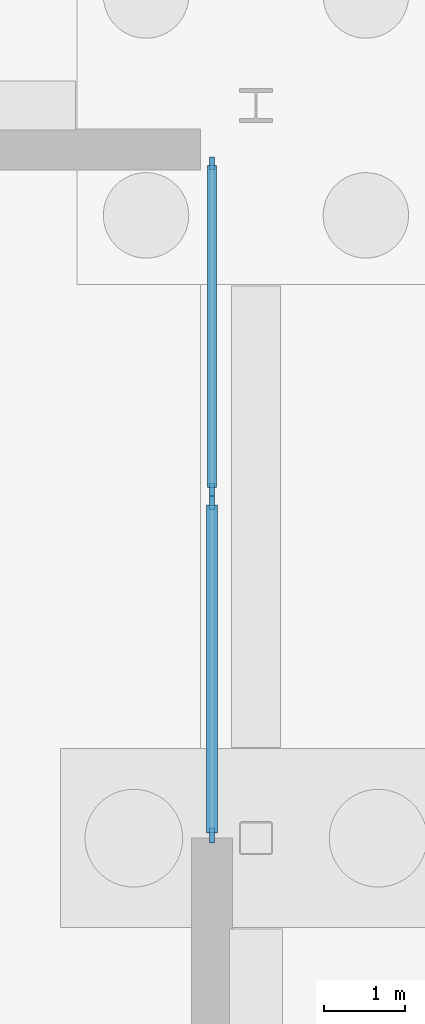
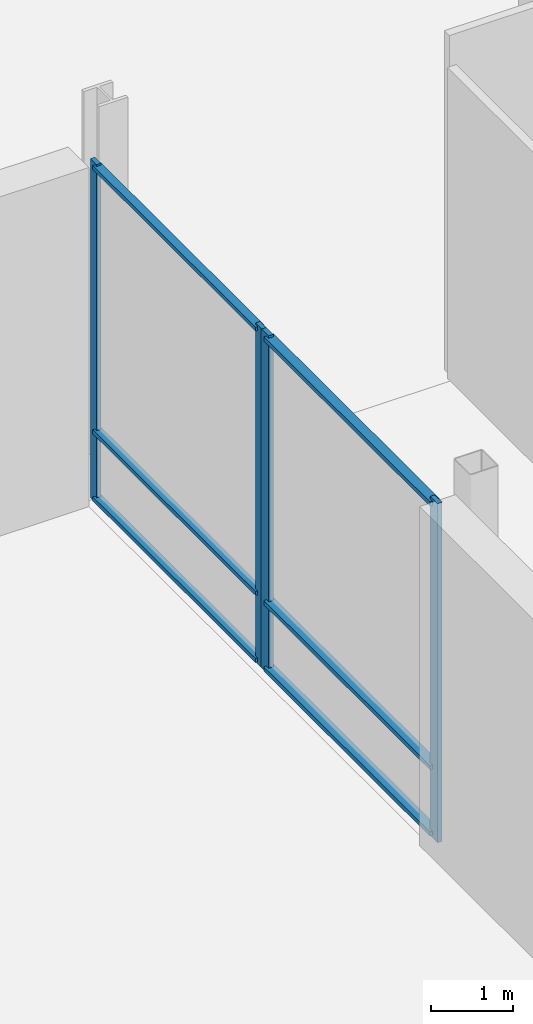
# One storey, part 37 of 60: 10 members, 2 elements without a shape of their own.
"""IFC4 building model written with IfcOpenShell, lengths in metres."""

from ifc_helpers import new_model, si_unit, direction, frame, origin, origin_2d, place, context, subcontext, project, spatial, rectangle, extrude, material, material_profile, profile_set, type_object, element, aggregate, save


model = new_model("IFC4")

# Units and contexts
model_context = context("Model", 3, precision=1e-05, world=origin(), true_north=direction((0.0, 1.0)))
body_context = subcontext(model_context, "Body", "Model", "MODEL_VIEW")
ifc_project = project(units=[si_unit("LENGTHUNIT", "METRE"), si_unit("AREAUNIT", "SQUARE_METRE"), si_unit("VOLUMEUNIT", "CUBIC_METRE"), si_unit("PLANEANGLEUNIT", "RADIAN"), si_unit("MASSUNIT", "GRAM", prefix="KILO")], contexts=[model_context])

# Site, building, storey
site_placement = place(None, origin())
site = spatial("IfcSite", under=ifc_project, at=site_placement, CompositionType="ELEMENT")
building_placement = place(site_placement, origin())
building = spatial("IfcBuilding", under=site, at=building_placement, Name="Trimount Lyric Opera House", CompositionType="ELEMENT")
storey_placement = place(building_placement, frame((0.0, 0.0, -5.39990234375)))
storey = spatial("IfcBuildingStorey", under=building, at=storey_placement, Name="B1", CompositionType="ELEMENT", Elevation=-5.39990234375)

# Curtain wall, members
ifc_material_1 = material(Name="Thermally Broken Aluminium and Low-E Glass", Category="aluminium")
curtain_wall_type = type_object("IfcCurtainWallType", Name="CW-04", PredefinedType="NOTDEFINED", material=ifc_material_1)
curtain_wall_1_placement = place(storey_placement, origin())
curtain_wall_1 = element("IfcCurtainWall", 1, at=curtain_wall_1_placement, inside=storey, type_object=curtain_wall_type, Name="B1 curtain wall 001", PredefinedType="NOTDEFINED")
ifc_material_2 = material(Name="Anodised Aluminium 6063-T6", Category="aluminium")
ifc_material_profile_1 = material_profile(ifc_material_2, rectangle(XDim=0.06494140625, YDim=0.179931640625, at=origin_2d()), Name="ALU-MULL-65X180")
ifc_profile_set_1 = profile_set([ifc_material_profile_1], Name="Anodised Aluminium 6063-T6")
member_type_1 = type_object("IfcMemberType", Name="ML-02", PredefinedType="MULLION", material=ifc_profile_set_1)
member_1_placement = place(storey_placement, frame((44.4599609375, 35.032470703125, 0.0), z_axis=(0.0, 0.0, 1.0), x_axis=(-1.0, 0.0, 0.0)))
member_1 = element("IfcMember", 2, at=member_1_placement, type_object=member_type_1, Name="CW-04 mullion 1", PredefinedType="MULLION", context=body_context, shape_type="SweptSolid", body=[
    extrude(rectangle(XDim=0.06494140625, YDim=0.179931640625, at=origin_2d()), origin(), (0.0, 0.0, 1.0), 5.02001953125),
])
member_2_placement = place(storey_placement, frame((44.4599609375, 39.12744140625, 0.0), z_axis=(0.0, 0.0, 1.0), x_axis=(-1.0, 0.0, 0.0)))
member_2 = element("IfcMember", 3, at=member_2_placement, type_object=member_type_1, Name="CW-04 mullion 2", PredefinedType="MULLION", context=body_context, shape_type="SweptSolid", body=[
    extrude(rectangle(XDim=0.06494140625, YDim=0.179931640625, at=origin_2d()), origin(), (0.0, 0.0, 1.0), 5.02001953125),
])

curtain_wall_2_placement = place(storey_placement, origin())
curtain_wall_2 = element("IfcCurtainWall", 4, at=curtain_wall_2_placement, inside=storey, type_object=curtain_wall_type, Name="B1 curtain wall 002", PredefinedType="NOTDEFINED")
ifc_material_3 = material(Name="Anodised Aluminium 6063-T6", Category="aluminium")
ifc_material_profile_2 = material_profile(ifc_material_3, rectangle(XDim=0.06005859375, YDim=0.14990234375, at=origin_2d()), Name="ALU-MULL-60X150")
ifc_profile_set_2 = profile_set([ifc_material_profile_2], Name="Anodised Aluminium 6063-T6")
member_type_2 = type_object("IfcMemberType", Name="ML-03", PredefinedType="MULLION", material=ifc_profile_set_2)
member_3_placement = place(storey_placement, frame((44.4599609375, 39.280029296875, 0.0), z_axis=(0.0, 0.0, 1.0), x_axis=(-1.0, 0.0, 0.0)))
member_3 = element("IfcMember", 5, at=member_3_placement, type_object=member_type_2, Name="CW-04 mullion 1", PredefinedType="MULLION", context=body_context, shape_type="SweptSolid", body=[
    extrude(rectangle(XDim=0.06005859375, YDim=0.14990234375, at=origin_2d()), origin(), (0.0, 0.0, 1.0), 5.02001953125),
])
member_4_placement = place(storey_placement, frame((44.4599609375, 43.2900390625, 0.0), z_axis=(0.0, 0.0, 1.0), x_axis=(-1.0, 0.0, 0.0)))
member_4 = element("IfcMember", 6, at=member_4_placement, type_object=member_type_2, Name="CW-04 mullion 2", PredefinedType="MULLION", context=body_context, shape_type="SweptSolid", body=[
    extrude(rectangle(XDim=0.06005859375, YDim=0.14990234375, at=origin_2d()), origin(), (0.0, 0.0, 1.0), 5.02001953125),
])

# Member
ifc_material_4 = material(Name="Anodised Aluminium 6063-T6", Category="aluminium")
ifc_material_profile_3 = material_profile(ifc_material_4, rectangle(XDim=0.135009765625, YDim=0.06494140625, at=origin_2d()), Name="ALU-TRAN-65X135")
ifc_profile_set_3 = profile_set([ifc_material_profile_3], Name="Anodised Aluminium 6063-T6")
member_type_3 = type_object("IfcMemberType", Name="TR-02", PredefinedType="USERDEFINED", material=ifc_profile_set_3)
member_5_placement = place(storey_placement, frame((44.4599609375, 35.06494140625, 0.0673828125), z_axis=(0.0, 1.0, 0.0), x_axis=(-1.0, 0.0, 0.0)))
member_5 = element("IfcMember", 7, at=member_5_placement, type_object=member_type_3, Name="CW-04 transom 1.1", ObjectType="TRANSOM", PredefinedType="USERDEFINED", context=body_context, shape_type="SweptSolid", body=[
    extrude(rectangle(XDim=0.135009765625, YDim=0.06494140625, at=origin_2d()), origin(), (0.0, 0.0, 1.0), 4.030029296875),
])

member_6_placement = place(storey_placement, frame((44.4599609375, 35.06494140625, 1.0498046875), z_axis=(0.0, 1.0, 0.0), x_axis=(-1.0, 0.0, 0.0)))
member_6 = element("IfcMember", 8, at=member_6_placement, type_object=member_type_3, Name="CW-04 transom 1.2", ObjectType="TRANSOM", PredefinedType="USERDEFINED", context=body_context, shape_type="SweptSolid", body=[
    extrude(rectangle(XDim=0.135009765625, YDim=0.06494140625, at=origin_2d()), origin(), (0.0, 0.0, 1.0), 4.030029296875),
])

member_7_placement = place(storey_placement, frame((44.4599609375, 35.06494140625, 4.952392578125), z_axis=(0.0, 1.0, 0.0), x_axis=(-1.0, 0.0, 0.0)))
member_7 = element("IfcMember", 9, at=member_7_placement, type_object=member_type_3, Name="CW-04 transom 1.3", ObjectType="TRANSOM", PredefinedType="USERDEFINED", context=body_context, shape_type="SweptSolid", body=[
    extrude(rectangle(XDim=0.135009765625, YDim=0.06494140625, at=origin_2d()), origin(), (0.0, 0.0, 1.0), 4.030029296875),
])

aggregate(curtain_wall_1, [member_1, member_2, member_5, member_6, member_7])

ifc_material_5 = material(Name="Anodised Aluminium 6063-T6", Category="aluminium")
ifc_material_profile_4 = material_profile(ifc_material_5, rectangle(XDim=0.114990234375, YDim=0.06005859375, at=origin_2d()), Name="ALU-TRAN-60X115")
ifc_profile_set_4 = profile_set([ifc_material_profile_4], Name="Anodised Aluminium 6063-T6")
member_type_4 = type_object("IfcMemberType", Name="TR-03", PredefinedType="USERDEFINED", material=ifc_profile_set_4)
member_8_placement = place(storey_placement, frame((44.4599609375, 39.31005859375, 0.057373046875), z_axis=(0.0, 1.0, 0.0), x_axis=(-1.0, 0.0, 0.0)))
member_8 = element("IfcMember", 10, at=member_8_placement, type_object=member_type_4, Name="CW-04 transom 1.1", ObjectType="TRANSOM", PredefinedType="USERDEFINED", context=body_context, shape_type="SweptSolid", body=[
    extrude(rectangle(XDim=0.114990234375, YDim=0.06005859375, at=origin_2d()), origin(), (0.0, 0.0, 1.0), 3.949951171875),
])

member_9_placement = place(storey_placement, frame((44.4599609375, 39.31005859375, 1.0498046875), z_axis=(0.0, 1.0, 0.0), x_axis=(-1.0, 0.0, 0.0)))
member_9 = element("IfcMember", 11, at=member_9_placement, type_object=member_type_4, Name="CW-04 transom 1.2", ObjectType="TRANSOM", PredefinedType="USERDEFINED", context=body_context, shape_type="SweptSolid", body=[
    extrude(rectangle(XDim=0.114990234375, YDim=0.06005859375, at=origin_2d()), origin(), (0.0, 0.0, 1.0), 3.949951171875),
])

member_10_placement = place(storey_placement, frame((44.4599609375, 39.31005859375, 4.96240234375), z_axis=(0.0, 1.0, 0.0), x_axis=(-1.0, 0.0, 0.0)))
member_10 = element("IfcMember", 12, at=member_10_placement, type_object=member_type_4, Name="CW-04 transom 1.3", ObjectType="TRANSOM", PredefinedType="USERDEFINED", context=body_context, shape_type="SweptSolid", body=[
    extrude(rectangle(XDim=0.114990234375, YDim=0.06005859375, at=origin_2d()), origin(), (0.0, 0.0, 1.0), 3.949951171875),
])

aggregate(curtain_wall_2, [member_3, member_4, member_8, member_9, member_10])

save(model, "model.ifc")
